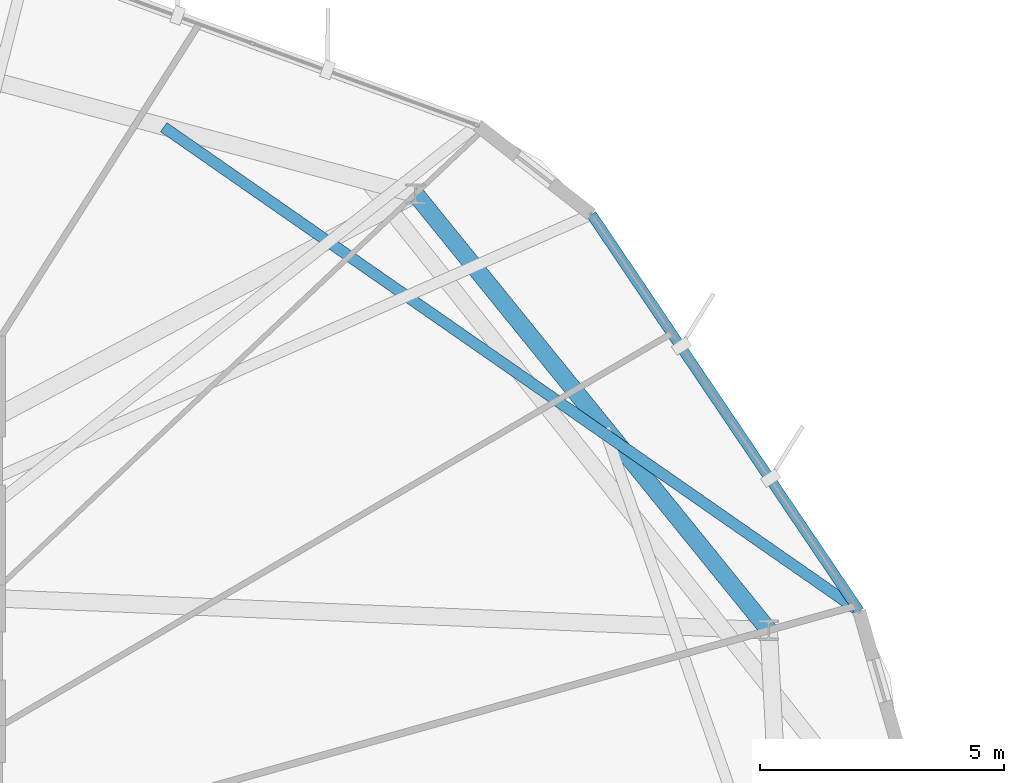
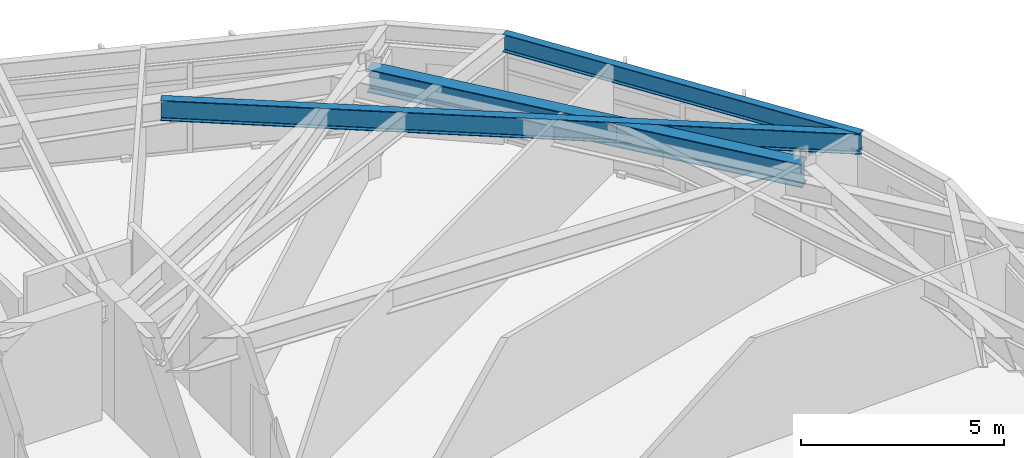
# One storey, part 21 of 30: 3 beams.
"""IFC4 building model written with IfcOpenShell, lengths in metres."""

from ifc_helpers import new_model, si_unit, direction, frame, origin, origin_2d, place, context, subcontext, project, spatial, i_section, extrude, material, material_profile, profile_set, type_object, element, save


model = new_model("IFC4")

# Units and contexts
model_context = context("Model", 3, precision=1e-05, world=origin(), true_north=direction((0.0, 1.0)))
body_context = subcontext(model_context, "Body", "Model", "MODEL_VIEW")
ifc_project = project(units=[si_unit("LENGTHUNIT", "METRE"), si_unit("AREAUNIT", "SQUARE_METRE"), si_unit("VOLUMEUNIT", "CUBIC_METRE"), si_unit("PLANEANGLEUNIT", "RADIAN"), si_unit("MASSUNIT", "GRAM", prefix="KILO")], contexts=[model_context])

# Site, building, storey
site_placement = place(None, origin())
site = spatial("IfcSite", under=ifc_project, at=site_placement, CompositionType="ELEMENT")
building_placement = place(site_placement, origin())
building = spatial("IfcBuilding", under=site, at=building_placement, Name="Soratama Intermodal Tower", CompositionType="ELEMENT")
storey_placement = place(building_placement, frame((0.0, 0.0, 223.0)))
storey = spatial("IfcBuildingStorey", under=building, at=storey_placement, Name="L56", CompositionType="ELEMENT", Elevation=223.0)

# Beams
ifc_material_1 = material(Name="Structural steel ASTM A992 Grade 50", Category="steel")
ifc_material_profile_1 = material_profile(ifc_material_1, i_section(OverallWidth=0.35498046875, OverallDepth=0.695068359375, WebThickness=0.015380859375, FlangeThickness=0.02490234375, FilletRadius=0.01611328125, at=origin_2d()), Name="W27X146")
ifc_profile_set_1 = profile_set([ifc_material_profile_1], Name="Structural steel ASTM A992 Grade 50")
beam_type_1 = type_object("IfcBeamType", Name="BM-RING-W27X146", PredefinedType="BEAM", material=ifc_profile_set_1)
beam_1_placement = place(storey_placement, frame((62.364990234375, 31.666015625, 2.952392578125), z_axis=(-0.629384551156, 0.777094001242, 0.0), x_axis=(-0.777094001242, -0.629384551156, 0.0)))
element("IfcBeam", 1, at=beam_1_placement, inside=storey, type_object=beam_type_1, Name="BM-L56-RING-01", PredefinedType="BEAM", context=body_context, shape_type="SweptSolid", body=[
    extrude(i_section(OverallWidth=0.35498046875, OverallDepth=0.695068359375, WebThickness=0.015380859375, FlangeThickness=0.02490234375, FilletRadius=0.01611328125, at=origin_2d()), origin(), (0.0, 0.0, 1.0), 11.49560546875),
])
ifc_material_2 = material(Name="Structural steel ASTM A992 Grade 50", Category="steel")
ifc_material_profile_2 = material_profile(ifc_material_2, i_section(OverallWidth=0.2099609375, OverallDepth=0.537109375, WebThickness=0.010986328125, FlangeThickness=0.017333984375, FilletRadius=0.012939453125, at=origin_2d()), Name="W21X68")
ifc_profile_set_2 = profile_set([ifc_material_profile_2], Name="Structural steel ASTM A992 Grade 50")
beam_type_2 = type_object("IfcBeamType", Name="BM-SPN-W21X68", PredefinedType="SPANDREL", material=ifc_profile_set_2)
beam_2_placement = place(storey_placement, frame((64.216064453125, 32.06005859375, 3.031494140625), z_axis=(-0.559515220961, 0.828820075477, 0.0), x_axis=(-0.828820075477, -0.559515220961, 0.0)))
element("IfcBeam", 2, at=beam_2_placement, inside=storey, type_object=beam_type_2, Name="BS-L56-F10", PredefinedType="SPANDREL", context=body_context, shape_type="SweptSolid", body=[
    extrude(i_section(OverallWidth=0.2099609375, OverallDepth=0.537109375, WebThickness=0.010986328125, FlangeThickness=0.017333984375, FilletRadius=0.012939453125, at=origin_2d()), origin(), (0.0, 0.0, 1.0), 9.798095703125),
])
ifc_material_3 = material(Name="Structural steel ASTM A992 Grade 50", Category="steel")
ifc_material_profile_3 = material_profile(ifc_material_3, i_section(OverallWidth=0.22900390625, OverallDepth=0.612060546875, WebThickness=0.011962890625, FlangeThickness=0.01953125, FilletRadius=0.012939453125, at=origin_2d()), Name="W24X84")
ifc_profile_set_3 = profile_set([ifc_material_profile_3], Name="Structural steel ASTM A992 Grade 50")
beam_type_3 = type_object("IfcBeamType", Name="BM-TIE-W24X84", PredefinedType="BEAM", material=ifc_profile_set_3)
beam_3_placement = place(storey_placement, frame((49.97705078125, 41.966064453125, 2.993896484375), z_axis=(0.820888849494, -0.5710879939, 0.0), x_axis=(0.5710879939, 0.820888849494, 0.0)))
element("IfcBeam", 3, at=beam_3_placement, inside=storey, type_object=beam_type_3, Name="BM-L56-TIE0-10", PredefinedType="BEAM", context=body_context, shape_type="SweptSolid", body=[
    extrude(i_section(OverallWidth=0.22900390625, OverallDepth=0.612060546875, WebThickness=0.011962890625, FlangeThickness=0.01953125, FilletRadius=0.012939453125, at=origin_2d()), origin(), (0.0, 0.0, 1.0), 17.345947265625),
])

save(model, "model.ifc")
